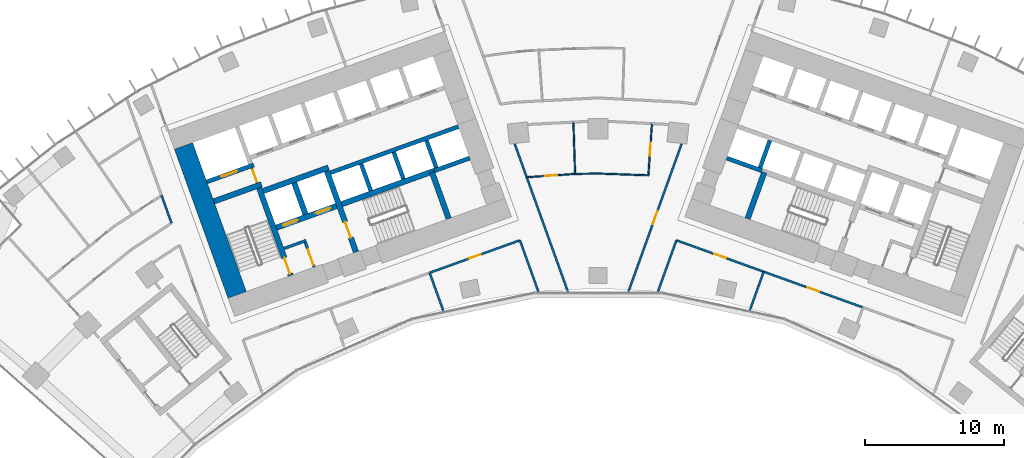
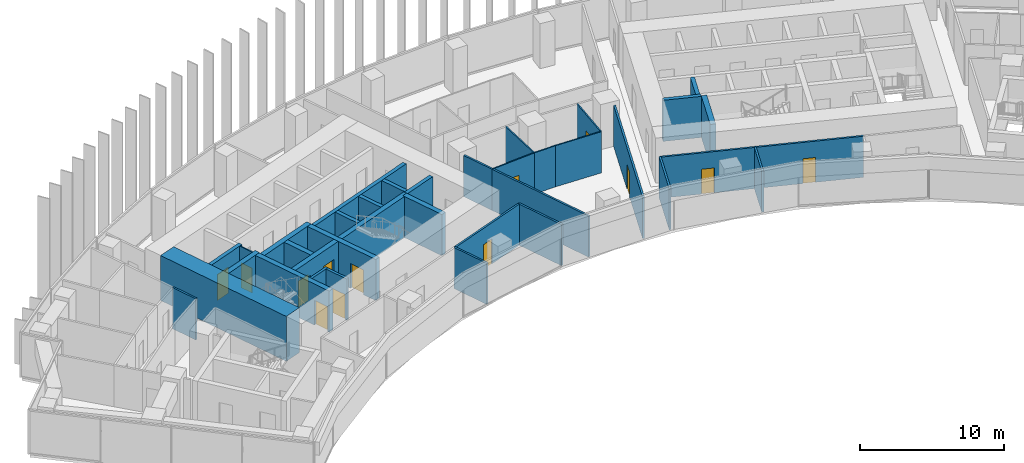
# One storey, part 16 of 22: 36 walls, 13 doors, 13 openings.
"""IFC4 building model written with IfcOpenShell, lengths in metres."""

from ifc_helpers import new_model, si_unit, direction, frame, frame_2d, origin, place, context, subcontext, project, spatial, rectangle, extrude, material, layer, layer_set, type_object, element, fill, save


model = new_model("IFC4")

# Units and contexts
model_context = context("Model", 3, precision=1e-05, world=origin(), true_north=direction((0.0, 1.0)))
body_context = subcontext(model_context, "Body", "Model", "MODEL_VIEW")
ifc_project = project(units=[si_unit("LENGTHUNIT", "METRE"), si_unit("AREAUNIT", "SQUARE_METRE"), si_unit("VOLUMEUNIT", "CUBIC_METRE"), si_unit("PLANEANGLEUNIT", "RADIAN"), si_unit("MASSUNIT", "GRAM", prefix="KILO")], contexts=[model_context])

# Site, building, storey
site_placement = place(None, origin())
site = spatial("IfcSite", under=ifc_project, at=site_placement, CompositionType="ELEMENT")
building_placement = place(site_placement, origin())
building = spatial("IfcBuilding", under=site, at=building_placement, Name="Stone Belt Terrace Tower", CompositionType="ELEMENT")
storey_placement = place(building_placement, frame((0.0, 0.0, 121.199951171875)))
storey = spatial("IfcBuildingStorey", under=building, at=storey_placement, Name="L29", CompositionType="ELEMENT", Elevation=121.199951171875)

# Wall, opening, door
ifc_material_1 = material(Name="Plasterboard partition")
ifc_layer_1 = layer(ifc_material_1, 0.10009765625)
ifc_layer_set_1 = layer_set([ifc_layer_1], Name="Core partition 100")
wall_type_1 = type_object("IfcWallType", Name="Core partition 100", PredefinedType="PARTITIONING", material=ifc_layer_set_1)
wall_1_placement = place(storey_placement, frame((-24.555908203125, 51.10400390625, 0.0), z_axis=(0.0, 0.0, 1.0), x_axis=(-0.338621735342, 0.94092258999, 0.0)))
wall_1 = element("IfcWall", 1, at=wall_1_placement, inside=storey, type_object=wall_type_1, Name="Core A wall", PredefinedType="PARTITIONING", context=body_context, shape_type="SweptSolid", body=[
    extrude(rectangle(XDim=1.14990234375, YDim=0.10009765625, at=frame_2d((0.574951171875, 0.0))), origin(), (0.0, 0.0, 1.0), 3.47998046875),
])
opening_1_placement = place(wall_1_placement, frame((0.050048828125, 0.0, 0.0)))
opening_1 = element("IfcOpeningElement", 2, at=opening_1_placement, cuts=wall_1, Name="Opening L29-C01", PredefinedType="OPENING", context=body_context, shape_type="SweptSolid", body=[
    extrude(rectangle(XDim=1.0, YDim=2.10009765625, at=frame_2d((0.5, 1.050048828125))), frame((0.0, 0.06005859375, 0.0), z_axis=(0.0, -1.0, 0.0), x_axis=(1.0, 0.0, 0.0)), (0.0, 0.0, 1.0), 0.1201171875),
])
ifc_material_2 = material(Name="Timber door leaf", Category="wood")
door_type_1 = type_object("IfcDoorType", Name="Core room door 1000", OperationType="SINGLE_SWING_LEFT", PredefinedType="DOOR", material=ifc_material_2)
door_1_placement = place(opening_1_placement, origin())
door_1 = element("IfcDoor", 3, at=door_1_placement, inside=storey, type_object=door_type_1, Name="Service lift lobby door core A", OperationType="SINGLE_SWING_RIGHT", OverallHeight=2.10009765625, OverallWidth=1.0, PredefinedType="DOOR", context=body_context, shape_type="SweptSolid", body=[
    extrude(rectangle(XDim=1.0, YDim=2.10009765625, at=frame_2d((0.5, 1.050048828125))), frame((0.0, 0.02490234375, 0.0), z_axis=(0.0, -1.0, 0.0), x_axis=(1.0, 0.0, 0.0)), (0.0, 0.0, 1.0), 0.050048828125),
])
fill(opening_1, door_1)

# Walls
ifc_material_3 = material(Name="Concrete B80", Category="concrete")
ifc_layer_2 = layer(ifc_material_3, 1.39990234375)
ifc_layer_set_2 = layer_set([ifc_layer_2], Name="Core wall 1400 B80")
wall_type_2 = type_object("IfcWallType", Name="Core wall 1400 B80", PredefinedType="SHEAR", material=ifc_layer_set_2)
wall_2_placement = place(storey_placement, frame((-26.00927734375, 43.03515625, 0.0), z_axis=(0.0, 0.0, 1.0), x_axis=(-0.338625431531, 0.940921259788, 0.0)))
element("IfcWall", 4, at=wall_2_placement, inside=storey, type_object=wall_type_2, Name="Core A wall end_a L29", PredefinedType="SHEAR", context=body_context, shape_type="SweptSolid", body=[
    extrude(rectangle(XDim=11.400146484375, YDim=1.39990234375, at=frame_2d((5.7001953125, 0.0))), origin(), (0.0, 0.0, 1.0), 3.800048828125),
])
ifc_layer_3 = layer(ifc_material_3, 0.39990234375)
ifc_layer_set_3 = layer_set([ifc_layer_3], Name="Fire-fighting lift shaft wall 400")
wall_type_3 = type_object("IfcWallType", Name="Fire-fighting lift shaft wall 400", PredefinedType="SHEAR", material=ifc_layer_set_3)
wall_3_placement = place(storey_placement, frame((-24.130615234375, 50.512939453125, 0.0), z_axis=(0.0, 0.0, 1.0), x_axis=(0.94091168377, 0.338652038744, 0.0)))
element("IfcWall", 5, at=wall_3_placement, inside=storey, type_object=wall_type_3, Name="Core A wall", PredefinedType="SHEAR", context=body_context, shape_type="SweptSolid", body=[
    extrude(rectangle(XDim=5.000244140625, YDim=0.39990234375, at=frame_2d((2.5, 0.0))), origin(), (0.0, 0.0, 1.0), 3.47998046875),
])
wall_4_placement = place(storey_placement, frame((-21.0859375, 48.845458984375, 0.0), z_axis=(0.0, 0.0, 1.0), x_axis=(-0.338629416206, 0.940919825745, 0.0)))
element("IfcWall", 6, at=wall_4_placement, inside=storey, type_object=wall_type_3, Name="Core A wall", PredefinedType="SHEAR", context=body_context, shape_type="SweptSolid", body=[
    extrude(rectangle(XDim=2.400146484375, YDim=0.39990234375, at=frame_2d((1.2001953125, 0.0))), origin(), (0.0, 0.0, 1.0), 3.47998046875),
])

# Wall, opening, door
ifc_layer_4 = layer(ifc_material_3, 0.300048828125)
ifc_layer_set_4 = layer_set([ifc_layer_4], Name="Lift shaft wall 300")
wall_type_4 = type_object("IfcWallType", Name="Lift shaft wall 300", PredefinedType="SHEAR", material=ifc_layer_set_4)
wall_5_placement = place(storey_placement, frame((-28.195068359375, 51.17578125, 0.0), z_axis=(0.0, 0.0, 1.0), x_axis=(0.940901243567, 0.338681044427, 0.0)))
wall_5 = element("IfcWall", 7, at=wall_5_placement, inside=storey, type_object=wall_type_4, Name="Core A wall", PredefinedType="SHEAR", context=body_context, shape_type="SweptSolid", body=[
    extrude(rectangle(XDim=3.599853515625, YDim=0.300048828125, at=frame_2d((1.7998046875, 0.0))), origin(), (0.0, 0.0, 1.0), 3.47998046875),
])
opening_2_placement = place(wall_5_placement, frame((1.1201171875, 0.0, 0.0)))
opening_2 = element("IfcOpeningElement", 8, at=opening_2_placement, cuts=wall_5, Name="Opening L29-LD09", PredefinedType="OPENING", context=body_context, shape_type="SweptSolid", body=[
    extrude(rectangle(XDim=1.199951171875, YDim=2.199951171875, at=frame_2d((0.60009765625, 1.10009765625))), frame((0.0, 0.159912109375, 0.0), z_axis=(0.0, -1.0, 0.0), x_axis=(1.0, 0.0, 0.0)), (0.0, 0.0, 1.0), 0.320068359375),
])
ifc_material_4 = material(Name="Stainless steel door leaf", Category="steel")
door_type_2 = type_object("IfcDoorType", Name="Landing door 1200", OperationType="SLIDING_TO_LEFT", PredefinedType="DOOR", material=ifc_material_4)
door_2_placement = place(opening_2_placement, origin())
door_2 = element("IfcDoor", 9, at=door_2_placement, inside=storey, type_object=door_type_2, Name="Landing door SV1 core A", OperationType="SLIDING_TO_LEFT", OverallHeight=2.199951171875, OverallWidth=1.199951171875, PredefinedType="DOOR", context=body_context, shape_type="SweptSolid", body=[
    extrude(rectangle(XDim=1.199951171875, YDim=2.199951171875, at=frame_2d((0.60009765625, 1.10009765625))), frame((0.0, 0.02490234375, 0.0), z_axis=(0.0, -1.0, 0.0), x_axis=(1.0, 0.0, 0.0)), (0.0, 0.0, 1.0), 0.050048828125),
])
fill(opening_2, door_2)

# Walls
wall_6_placement = place(storey_placement, frame((-19.29052734375, 51.829833984375, 0.0), z_axis=(0.0, 0.0, 1.0), x_axis=(0.940925833398, 0.338612722803, 0.0)))
element("IfcWall", 10, at=wall_6_placement, inside=storey, type_object=wall_type_4, Name="Core A wall", PredefinedType="SHEAR", context=body_context, shape_type="SweptSolid", body=[
    extrude(rectangle(XDim=9.7998046875, YDim=0.300048828125, at=frame_2d((4.89990234375, 0.0))), origin(), (0.0, 0.0, 1.0), 3.47998046875),
])
for number, where, z_axis, x_axis, name in (
    (11, (-16.38134765625, 50.53857421875, 0.0), (0.0, 0.0, 1.0), (-0.338681515556, 0.940901073982, 0.0), "Core A wall"),
    (12, (-14.029052734375, 51.38525390625, 0.0), (0.0, 0.0, 1.0), (-0.338681515556, 0.940901073982, 0.0), "Core A wall"),
):
    element("IfcWall", number, at=place(storey_placement, frame(where, z_axis=z_axis, x_axis=x_axis)), inside=storey, type_object=wall_type_4, Name=name, PredefinedType="SHEAR", context=body_context, shape_type="SweptSolid", body=[
        extrude(rectangle(XDim=2.050048828125, YDim=0.300048828125, at=frame_2d((1.02490234375, 0.0))), origin(), (0.0, 0.0, 1.0), 3.47998046875),
    ])
wall_7_placement = place(storey_placement, frame((-11.797119140625, 51.975830078125, 0.0), z_axis=(0.0, 0.0, 1.0), x_axis=(0.940910465161, 0.33865542451, 0.0)))
element("IfcWall", 13, at=wall_7_placement, inside=storey, type_object=wall_type_4, Name="Core A wall", PredefinedType="SHEAR", context=body_context, shape_type="SweptSolid", body=[
    extrude(rectangle(XDim=2.69970703125, YDim=0.300048828125, at=frame_2d((1.349853515625, 0.0))), origin(), (0.0, 0.0, 1.0), 3.47998046875),
])
wall_8_placement = place(storey_placement, frame((-11.659912109375, 52.184814453125, 0.0), z_axis=(0.0, 0.0, 1.0), x_axis=(-0.338670064856, 0.940905195634, 0.0)))
element("IfcWall", 14, at=wall_8_placement, inside=storey, type_object=wall_type_4, Name="Core A wall", PredefinedType="SHEAR", context=body_context, shape_type="SweptSolid", body=[
    extrude(rectangle(XDim=2.099853515625, YDim=0.300048828125, at=frame_2d((1.0498046875, 0.0))), origin(), (0.0, 0.0, 1.0), 3.47998046875),
])
wall_9_placement = place(storey_placement, frame((11.797119140625, 51.975830078125, 0.0), z_axis=(0.0, 0.0, 1.0), x_axis=(-0.940910465161, 0.33865542451, 0.0)))
element("IfcWall", 15, at=wall_9_placement, inside=storey, type_object=wall_type_4, Name="Core B wall", PredefinedType="SHEAR", context=body_context, shape_type="SweptSolid", body=[
    extrude(rectangle(XDim=2.69970703125, YDim=0.300048828125, at=frame_2d((1.349853515625, 0.0))), origin(), (0.0, 0.0, 1.0), 3.47998046875),
])
wall_10_placement = place(storey_placement, frame((11.659912109375, 52.184814453125, 0.0), z_axis=(0.0, 0.0, 1.0), x_axis=(0.338670064856, 0.940905195634, 0.0)))
element("IfcWall", 16, at=wall_10_placement, inside=storey, type_object=wall_type_4, Name="Core B wall", PredefinedType="SHEAR", context=body_context, shape_type="SweptSolid", body=[
    extrude(rectangle(XDim=2.099853515625, YDim=0.300048828125, at=frame_2d((1.0498046875, 0.0))), origin(), (0.0, 0.0, 1.0), 3.47998046875),
])

# Wall, opening, door
ifc_material_5 = material(Name="Gypsum board partition")
ifc_layer_5 = layer(ifc_material_5, 0.10009765625)
ifc_layer_set_5 = layer_set([ifc_layer_5], Name="PARTITION 100")
wall_type_5 = type_object("IfcWallType", Name="PARTITION 100", PredefinedType="PARTITIONING", material=ifc_layer_set_5)
wall_11_placement = place(storey_placement, frame((-5.14697265625, 51.509033203125, 0.0), z_axis=(0.0, 0.0, 1.0), x_axis=(0.997654919986, 0.068444580705, 0.0)))
wall_11 = element("IfcWall", 17, at=wall_11_placement, inside=storey, type_object=wall_type_5, Name="L29/wall/i095", PredefinedType="PARTITIONING", context=body_context, shape_type="SweptSolid", body=[
    extrude(rectangle(XDim=3.4921875, YDim=0.10009765625, at=frame_2d((1.74609375, 0.0))), origin(), (0.0, 0.0, 1.0), 3.47998046875),
])
opening_3_placement = place(wall_11_placement, frame((1.296142578125, 0.0, 0.0)))
opening_3 = element("IfcOpeningElement", 18, at=opening_3_placement, cuts=wall_11, Name="Opening D-B4-29", PredefinedType="OPENING", context=body_context, shape_type="SweptSolid", body=[
    extrude(rectangle(XDim=0.89990234375, YDim=2.10009765625, at=frame_2d((0.449951171875, 1.050048828125))), frame((0.0, 0.06005859375, 0.0), z_axis=(0.0, -1.0, 0.0), x_axis=(1.0, 0.0, 0.0)), (0.0, 0.0, 1.0), 0.1201171875),
])
door_type_3 = type_object("IfcDoorType", Name="OFFICE DOOR 900 X 2100", OperationType="NOTDEFINED", PredefinedType="DOOR", material=ifc_material_2)
door_3_placement = place(opening_3_placement, origin())
door_3 = element("IfcDoor", 19, at=door_3_placement, inside=storey, type_object=door_type_3, Name="L29/door/i29", OperationType="SINGLE_SWING_RIGHT", OverallHeight=2.10009765625, OverallWidth=0.89990234375, PredefinedType="DOOR", context=body_context, shape_type="SweptSolid", body=[
    extrude(rectangle(XDim=0.89990234375, YDim=2.10009765625, at=frame_2d((0.449951171875, 1.050048828125))), frame((0.0, 0.02490234375, 0.0), z_axis=(0.0, -1.0, 0.0), x_axis=(1.0, 0.0, 0.0)), (0.0, 0.0, 1.0), 0.050048828125),
])
fill(opening_3, door_3)

# Walls
wall_12_placement = place(storey_placement, frame((-1.6630859375, 51.748046875, 0.0), z_axis=(0.0, 0.0, 1.0), x_axis=(0.999869646958, 0.016145869226, 0.0)))
element("IfcWall", 20, at=wall_12_placement, inside=storey, type_object=wall_type_5, Name="L29/wall/i096", PredefinedType="PARTITIONING", context=body_context, shape_type="SweptSolid", body=[
    extrude(rectangle(XDim=1.663330078125, YDim=0.10009765625, at=frame_2d((0.83154296875, 0.0))), origin(), (0.0, 0.0, 1.0), 3.47998046875),
])
wall_13_placement = place(storey_placement, frame((0.0, 51.77490234375, 0.0), z_axis=(0.0, 0.0, 1.0), x_axis=(0.999384578981, -0.035077960248, 0.0)))
element("IfcWall", 21, at=wall_13_placement, inside=storey, type_object=wall_type_5, Name="L29/wall/i097", PredefinedType="PARTITIONING", context=body_context, shape_type="SweptSolid", body=[
    extrude(rectangle(XDim=3.619140625, YDim=0.10009765625, at=frame_2d((1.8095703125, 0.0))), origin(), (0.0, 0.0, 1.0), 3.47998046875),
])

# Wall, opening, door
wall_14_placement = place(storey_placement, frame((3.616943359375, 51.64794921875, 0.0), z_axis=(0.0, 0.0, 1.0), x_axis=(0.069908521792, 0.99755340638, 0.0)))
wall_14 = element("IfcWall", 22, at=wall_14_placement, inside=storey, type_object=wall_type_5, Name="L29/wall/i098", PredefinedType="PARTITIONING", context=body_context, shape_type="SweptSolid", body=[
    extrude(rectangle(XDim=3.733154296875, YDim=0.10009765625, at=frame_2d((1.86669921875, 0.0))), origin(), (0.0, 0.0, 1.0), 3.47998046875),
])
opening_4_placement = place(wall_14_placement, frame((1.41650390625, 0.0, 0.0)))
opening_4 = element("IfcOpeningElement", 23, at=opening_4_placement, cuts=wall_14, Name="Opening D-B4-30", PredefinedType="OPENING", context=body_context, shape_type="SweptSolid", body=[
    extrude(rectangle(XDim=0.89990234375, YDim=2.10009765625, at=frame_2d((0.449951171875, 1.050048828125))), frame((0.0, 0.06005859375, 0.0), z_axis=(0.0, -1.0, 0.0), x_axis=(1.0, 0.0, 0.0)), (0.0, 0.0, 1.0), 0.1201171875),
])
door_4_placement = place(opening_4_placement, origin())
door_4 = element("IfcDoor", 24, at=door_4_placement, inside=storey, type_object=door_type_3, Name="L29/door/i30", OperationType="SINGLE_SWING_RIGHT", OverallHeight=2.10009765625, OverallWidth=0.89990234375, PredefinedType="DOOR", context=body_context, shape_type="SweptSolid", body=[
    extrude(rectangle(XDim=0.89990234375, YDim=2.10009765625, at=frame_2d((0.449951171875, 1.050048828125))), frame((0.0, 0.02490234375, 0.0), z_axis=(0.0, -1.0, 0.0), x_axis=(1.0, 0.0, 0.0)), (0.0, 0.0, 1.0), 0.050048828125),
])
fill(opening_4, door_4)

# Walls
wall_15_placement = place(storey_placement, frame((-1.782958984375, 55.48193359375, 0.0), z_axis=(0.0, 0.0, 1.0), x_axis=(0.032087561479, -0.999485061618, 0.0)))
element("IfcWall", 25, at=wall_15_placement, inside=storey, type_object=wall_type_5, Name="L29/wall/i099", PredefinedType="PARTITIONING", context=body_context, shape_type="SweptSolid", body=[
    extrude(rectangle(XDim=3.73583984375, YDim=0.10009765625, at=frame_2d((1.867919921875, 0.0))), origin(), (0.0, 0.0, 1.0), 3.47998046875),
])
ifc_layer_6 = layer(ifc_material_5, 0.14990234375)
ifc_layer_set_6 = layer_set([ifc_layer_6], Name="PARTITION 150 EI 60")
wall_type_6 = type_object("IfcWallType", Name="PARTITION 150 EI 60", PredefinedType="PARTITIONING", material=ifc_layer_set_6)
wall_16_placement = place(storey_placement, frame((-30.737060546875, 48.197021484375, 0.0), z_axis=(0.0, 0.0, 1.0), x_axis=(-0.338300458041, 0.941038150177, 0.0)))
element("IfcWall", 26, at=wall_16_placement, inside=storey, type_object=wall_type_6, Name="L29/wall/i005", PredefinedType="PARTITIONING", context=body_context, shape_type="SweptSolid", body=[
    extrude(rectangle(XDim=2.125244140625, YDim=0.14990234375, at=frame_2d((1.0625, 0.0))), origin(), (0.0, 0.0, 1.0), 3.47998046875),
])
wall_17_placement = place(storey_placement, frame((-4.31005859375, 43.27783203125, 0.0), z_axis=(0.0, 0.0, 1.0), x_axis=(-0.338490436495, 0.940969831823, 0.0)))
element("IfcWall", 27, at=wall_17_placement, inside=storey, type_object=wall_type_6, Name="L29/wall/i008", PredefinedType="PARTITIONING", context=body_context, shape_type="SweptSolid", body=[
    extrude(rectangle(XDim=3.92578125, YDim=0.14990234375, at=frame_2d((1.962890625, 0.0))), origin(), (0.0, 0.0, 1.0), 3.47998046875),
])
wall_18_placement = place(storey_placement, frame((-5.14892578125, 51.514892578125, 0.0), z_axis=(0.0, 0.0, 1.0), x_axis=(0.338625833111, -0.940921115264, 0.0)))
element("IfcWall", 28, at=wall_18_placement, inside=storey, type_object=wall_type_6, Name="L29/wall/i010", PredefinedType="PARTITIONING", context=body_context, shape_type="SweptSolid", body=[
    extrude(rectangle(XDim=8.771484375, YDim=0.14990234375, at=frame_2d((4.3857421875, 0.0))), origin(), (0.0, 0.0, 1.0), 3.47998046875),
])
wall_19_placement = place(storey_placement, frame((-6.011962890625, 53.911865234375, 0.0), z_axis=(0.0, 0.0, 1.0), x_axis=(0.338624916553, -0.940921445122, 0.0)))
element("IfcWall", 29, at=wall_19_placement, inside=storey, type_object=wall_type_6, Name="L29/wall/i011", PredefinedType="PARTITIONING", context=body_context, shape_type="SweptSolid", body=[
    extrude(rectangle(XDim=2.560302734375, YDim=0.14990234375, at=frame_2d((1.2802734375, 0.0))), origin(), (0.0, 0.0, 1.0), 3.47998046875),
])

# Wall, opening, door
wall_20_placement = place(storey_placement, frame((-5.636962890625, 46.966064453125, 0.0), z_axis=(0.0, 0.0, 1.0), x_axis=(-0.940914398552, -0.33864449589, 0.0)))
wall_20 = element("IfcWall", 30, at=wall_20_placement, inside=storey, type_object=wall_type_6, Name="L29/wall/i016", PredefinedType="PARTITIONING", context=body_context, shape_type="SweptSolid", body=[
    extrude(rectangle(XDim=6.918701171875, YDim=0.14990234375, at=frame_2d((3.45947265625, 0.0))), origin(), (0.0, 0.0, 1.0), 3.47998046875),
])
opening_5_placement = place(wall_20_placement, frame((3.00927734375, 0.0, 0.0)))
opening_5 = element("IfcOpeningElement", 31, at=opening_5_placement, cuts=wall_20, Name="Opening D-B4-03", PredefinedType="OPENING", context=body_context, shape_type="SweptSolid", body=[
    extrude(rectangle(XDim=0.89990234375, YDim=2.10009765625, at=frame_2d((0.449951171875, 1.050048828125))), frame((0.0, 0.0849609375, 0.0), z_axis=(0.0, -1.0, 0.0), x_axis=(1.0, 0.0, 0.0)), (0.0, 0.0, 1.0), 0.169921875),
])
door_5_placement = place(opening_5_placement, origin())
door_5 = element("IfcDoor", 32, at=door_5_placement, inside=storey, type_object=door_type_3, Name="L29/door/i03", OperationType="SINGLE_SWING_RIGHT", OverallHeight=2.10009765625, OverallWidth=0.89990234375, PredefinedType="DOOR", context=body_context, shape_type="SweptSolid", body=[
    extrude(rectangle(XDim=0.89990234375, YDim=2.10009765625, at=frame_2d((0.449951171875, 1.050048828125))), frame((0.0, 0.02490234375, 0.0), z_axis=(0.0, -1.0, 0.0), x_axis=(1.0, 0.0, 0.0)), (0.0, 0.0, 1.0), 0.050048828125),
])
fill(opening_5, door_5)

# Walls
wall_21_placement = place(storey_placement, frame((-12.14111328125, 44.625, 0.0), z_axis=(0.0, 0.0, 1.0), x_axis=(0.338687117688, -0.940899057451, 0.0)))
element("IfcWall", 33, at=wall_21_placement, inside=storey, type_object=wall_type_6, Name="L29/wall/i019", PredefinedType="PARTITIONING", context=body_context, shape_type="SweptSolid", body=[
    extrude(rectangle(XDim=2.939697265625, YDim=0.14990234375, at=frame_2d((1.4697265625, 0.0))), origin(), (0.0, 0.0, 1.0), 3.47998046875),
])
wall_22_placement = place(storey_placement, frame((5.638916015625, 46.971923828125, 0.0), z_axis=(0.0, 0.0, 1.0), x_axis=(-0.338490436495, -0.940969831823, 0.0)))
element("IfcWall", 34, at=wall_22_placement, inside=storey, type_object=wall_type_6, Name="L29/wall/i021", PredefinedType="PARTITIONING", context=body_context, shape_type="SweptSolid", body=[
    extrude(rectangle(XDim=3.92578125, YDim=0.14990234375, at=frame_2d((1.962890625, 0.0))), origin(), (0.0, 0.0, 1.0), 3.47998046875),
])

# Wall, opening, door
wall_23_placement = place(storey_placement, frame((2.1787109375, 43.26171875, 0.0), z_axis=(0.0, 0.0, 1.0), x_axis=(0.338656837626, 0.940909956547, 0.0)))
wall_23 = element("IfcWall", 35, at=wall_23_placement, inside=storey, type_object=wall_type_6, Name="L29/wall/i023", PredefinedType="PARTITIONING", context=body_context, shape_type="SweptSolid", body=[
    extrude(rectangle(XDim=11.319091796875, YDim=0.14990234375, at=frame_2d((5.65966796875, 0.0))), origin(), (0.0, 0.0, 1.0), 3.47998046875),
])
opening_6_placement = place(wall_23_placement, frame((5.159423828125, 0.0, 0.0)))
opening_6 = element("IfcOpeningElement", 36, at=opening_6_placement, cuts=wall_23, Name="Opening D-B4-28", PredefinedType="OPENING", context=body_context, shape_type="SweptSolid", body=[
    extrude(rectangle(XDim=1.0, YDim=2.10009765625, at=frame_2d((0.5, 1.050048828125))), frame((0.0, 0.0849609375, 0.0), z_axis=(0.0, -1.0, 0.0), x_axis=(1.0, 0.0, 0.0)), (0.0, 0.0, 1.0), 0.169921875),
])
ifc_material_6 = material(Name="Timber fire door leaf", Category="wood")
door_type_4 = type_object("IfcDoorType", Name="TENANCY ENTRANCE DOOR 1000 X 2100", OperationType="NOTDEFINED", PredefinedType="DOOR", material=ifc_material_6)
door_6_placement = place(opening_6_placement, origin())
door_6 = element("IfcDoor", 37, at=door_6_placement, inside=storey, type_object=door_type_4, Name="L29/door/i28", OperationType="SINGLE_SWING_LEFT", OverallHeight=2.10009765625, OverallWidth=1.0, PredefinedType="DOOR", context=body_context, shape_type="SweptSolid", body=[
    extrude(rectangle(XDim=1.0, YDim=2.10009765625, at=frame_2d((0.5, 1.050048828125))), frame((0.0, 0.02490234375, 0.0), z_axis=(0.0, -1.0, 0.0), x_axis=(1.0, 0.0, 0.0)), (0.0, 0.0, 1.0), 0.050048828125),
])
fill(opening_6, door_6)

wall_24_placement = place(storey_placement, frame((11.93408203125, 44.699951171875, 0.0), z_axis=(0.0, 0.0, 1.0), x_axis=(-0.94092786382, 0.33860708068, 0.0)))
wall_24 = element("IfcWall", 38, at=wall_24_placement, inside=storey, type_object=wall_type_6, Name="L29/wall/i031", PredefinedType="PARTITIONING", context=body_context, shape_type="SweptSolid", body=[
    extrude(rectangle(XDim=6.6923828125, YDim=0.14990234375, at=frame_2d((3.34619140625, 0.0))), origin(), (0.0, 0.0, 1.0), 3.47998046875),
])
opening_7_placement = place(wall_24_placement, frame((2.896240234375, 0.0, 0.0)))
opening_7 = element("IfcOpeningElement", 39, at=opening_7_placement, cuts=wall_24, Name="Opening D-B4-06", PredefinedType="OPENING", context=body_context, shape_type="SweptSolid", body=[
    extrude(rectangle(XDim=0.89990234375, YDim=2.10009765625, at=frame_2d((0.449951171875, 1.050048828125))), frame((0.0, 0.0849609375, 0.0), z_axis=(0.0, -1.0, 0.0), x_axis=(1.0, 0.0, 0.0)), (0.0, 0.0, 1.0), 0.169921875),
])
door_7_placement = place(opening_7_placement, origin())
door_7 = element("IfcDoor", 40, at=door_7_placement, inside=storey, type_object=door_type_3, Name="L29/door/i06", OperationType="SINGLE_SWING_RIGHT", OverallHeight=2.10009765625, OverallWidth=0.89990234375, PredefinedType="DOOR", context=body_context, shape_type="SweptSolid", body=[
    extrude(rectangle(XDim=0.89990234375, YDim=2.10009765625, at=frame_2d((0.449951171875, 1.050048828125))), frame((0.0, 0.02490234375, 0.0), z_axis=(0.0, -1.0, 0.0), x_axis=(1.0, 0.0, 0.0)), (0.0, 0.0, 1.0), 0.050048828125),
])
fill(opening_7, door_7)

wall_25_placement = place(storey_placement, frame((19.0859375, 42.1259765625, 0.0), z_axis=(0.0, 0.0, 1.0), x_axis=(-0.940922970356, 0.338620678423, 0.0)))
wall_25 = element("IfcWall", 41, at=wall_25_placement, inside=storey, type_object=wall_type_6, Name="L29/wall/i032", PredefinedType="PARTITIONING", context=body_context, shape_type="SweptSolid", body=[
    extrude(rectangle(XDim=7.613525390625, YDim=0.14990234375, at=frame_2d((3.806640625, 0.0))), origin(), (0.0, 0.0, 1.0), 3.47998046875),
])
opening_8_placement = place(wall_25_placement, frame((3.35693359375, 0.0, 0.0)))
opening_8 = element("IfcOpeningElement", 42, at=opening_8_placement, cuts=wall_25, Name="Opening D-B4-07", PredefinedType="OPENING", context=body_context, shape_type="SweptSolid", body=[
    extrude(rectangle(XDim=0.89990234375, YDim=2.10009765625, at=frame_2d((0.449951171875, 1.050048828125))), frame((0.0, 0.0849609375, 0.0), z_axis=(0.0, -1.0, 0.0), x_axis=(1.0, 0.0, 0.0)), (0.0, 0.0, 1.0), 0.169921875),
])
door_8_placement = place(opening_8_placement, origin())
door_8 = element("IfcDoor", 43, at=door_8_placement, inside=storey, type_object=door_type_3, Name="L29/door/i07", OperationType="SINGLE_SWING_RIGHT", OverallHeight=2.10009765625, OverallWidth=0.89990234375, PredefinedType="DOOR", context=body_context, shape_type="SweptSolid", body=[
    extrude(rectangle(XDim=0.89990234375, YDim=2.10009765625, at=frame_2d((0.449951171875, 1.050048828125))), frame((0.0, 0.02490234375, 0.0), z_axis=(0.0, -1.0, 0.0), x_axis=(1.0, 0.0, 0.0)), (0.0, 0.0, 1.0), 0.050048828125),
])
fill(opening_8, door_8)

# Walls
wall_26_placement = place(storey_placement, frame((11.927978515625, 44.701904296875, 0.0), z_axis=(0.0, 0.0, 1.0), x_axis=(-0.33850120376, -0.940965958498, 0.0)))
element("IfcWall", 44, at=wall_26_placement, inside=storey, type_object=wall_type_6, Name="L29/wall/i034", PredefinedType="PARTITIONING", context=body_context, shape_type="SweptSolid", body=[
    extrude(rectangle(XDim=2.970703125, YDim=0.14990234375, at=frame_2d((1.4853515625, 0.0))), origin(), (0.0, 0.0, 1.0), 3.47998046875),
])
ifc_material_7 = material(Name="Concrete masonry block", Category="masonry")
ifc_layer_7 = layer(ifc_material_7, 0.199951171875)
ifc_layer_set_7 = layer_set([ifc_layer_7], Name="Rated lobby wall 200")
wall_type_7 = type_object("IfcWallType", Name="Rated lobby wall 200", PredefinedType="PARTITIONING", material=ifc_layer_set_7)
wall_27_placement = place(storey_placement, frame((-22.640625, 46.373046875, 0.0), z_axis=(0.0, 0.0, 1.0), x_axis=(0.940966110313, 0.338500781747, 0.0)))
element("IfcWall", 45, at=wall_27_placement, inside=storey, type_object=wall_type_7, Name="Core A wall", PredefinedType="PARTITIONING", context=body_context, shape_type="SweptSolid", body=[
    extrude(rectangle(XDim=1.699951171875, YDim=0.199951171875, at=frame_2d((0.85009765625, 0.0))), origin(), (0.0, 0.0, 1.0), 3.47998046875),
])

# Wall, opening, door
wall_28_placement = place(storey_placement, frame((-20.4580078125, 45.032958984375, 0.0), z_axis=(0.0, 0.0, 1.0), x_axis=(-0.338573865316, 0.940939816208, 0.0)))
wall_28 = element("IfcWall", 46, at=wall_28_placement, inside=storey, type_object=wall_type_7, Name="Core A wall", PredefinedType="PARTITIONING", context=body_context, shape_type="SweptSolid", body=[
    extrude(rectangle(XDim=1.900146484375, YDim=0.199951171875, at=frame_2d((0.9501953125, 0.0))), origin(), (0.0, 0.0, 1.0), 3.47998046875),
])
opening_9_placement = place(wall_28_placement, frame((0.14990234375, 0.0, 0.0)))
opening_9 = element("IfcOpeningElement", 47, at=opening_9_placement, cuts=wall_28, Name="Opening L29-C04", PredefinedType="OPENING", context=body_context, shape_type="SweptSolid", body=[
    extrude(rectangle(XDim=1.199951171875, YDim=2.10009765625, at=frame_2d((0.60009765625, 1.050048828125))), frame((0.0, 0.10986328125, 0.0), z_axis=(0.0, -1.0, 0.0), x_axis=(1.0, 0.0, 0.0)), (0.0, 0.0, 1.0), 0.219970703125),
])
ifc_material_8 = material(Name="Steel door leaf", Category="steel")
door_type_5 = type_object("IfcDoorType", Name="Stair door 1200", OperationType="SINGLE_SWING_LEFT", PredefinedType="DOOR", material=ifc_material_8)
door_9_placement = place(opening_9_placement, origin())
door_9 = element("IfcDoor", 48, at=door_9_placement, inside=storey, type_object=door_type_5, Name="Stair airlock door core A", OperationType="SINGLE_SWING_RIGHT", OverallHeight=2.10009765625, OverallWidth=1.199951171875, PredefinedType="DOOR", context=body_context, shape_type="SweptSolid", body=[
    extrude(rectangle(XDim=1.199951171875, YDim=2.10009765625, at=frame_2d((0.60009765625, 1.050048828125))), frame((0.0, 0.02490234375, 0.0), z_axis=(0.0, -1.0, 0.0), x_axis=(1.0, 0.0, 0.0)), (0.0, 0.0, 1.0), 0.050048828125),
])
fill(opening_9, door_9)

# Wall
ifc_layer_8 = layer(ifc_material_3, 0.39990234375)
ifc_layer_set_8 = layer_set([ifc_layer_8], Name="Stair enclosure wall 400")
wall_type_8 = type_object("IfcWallType", Name="Stair enclosure wall 400", PredefinedType="SHEAR", material=ifc_layer_set_8)
wall_29_placement = place(storey_placement, frame((-27.687255859375, 49.764404296875, 0.0), z_axis=(0.0, 0.0, 1.0), x_axis=(0.940918954884, 0.338631835981, 0.0)))
element("IfcWall", 49, at=wall_29_placement, inside=storey, type_object=wall_type_8, Name="Core A wall", PredefinedType="SHEAR", context=body_context, shape_type="SweptSolid", body=[
    extrude(rectangle(XDim=3.650146484375, YDim=0.39990234375, at=frame_2d((1.8251953125, 0.0))), origin(), (0.0, 0.0, 1.0), 3.47998046875),
])

# Wall, opening, door
wall_30_placement = place(storey_placement, frame((-22.151611328125, 44.42333984375, 0.0), z_axis=(0.0, 0.0, 1.0), x_axis=(-0.338625272931, 0.940921316866, 0.0)))
wall_30 = element("IfcWall", 50, at=wall_30_placement, inside=storey, type_object=wall_type_8, Name="Core A wall", PredefinedType="SHEAR", context=body_context, shape_type="SweptSolid", body=[
    extrude(rectangle(XDim=6.699951171875, YDim=0.39990234375, at=frame_2d((3.35009765625, 0.0))), origin(), (0.0, 0.0, 1.0), 3.47998046875),
])
opening_10_placement = place(wall_30_placement, frame((0.14990234375, 0.0, 0.0)))
opening_10 = element("IfcOpeningElement", 51, at=opening_10_placement, cuts=wall_30, Name="Opening L29-C03", PredefinedType="OPENING", context=body_context, shape_type="SweptSolid", body=[
    extrude(rectangle(XDim=1.199951171875, YDim=2.10009765625, at=frame_2d((0.60009765625, 1.050048828125))), frame((0.0, 0.2099609375, 0.0), z_axis=(0.0, -1.0, 0.0), x_axis=(1.0, 0.0, 0.0)), (0.0, 0.0, 1.0), 0.419921875),
])
door_10_placement = place(opening_10_placement, origin())
door_10 = element("IfcDoor", 52, at=door_10_placement, inside=storey, type_object=door_type_5, Name="Stair 1 door core A", OperationType="SINGLE_SWING_RIGHT", OverallHeight=2.10009765625, OverallWidth=1.199951171875, PredefinedType="DOOR", context=body_context, shape_type="SweptSolid", body=[
    extrude(rectangle(XDim=1.199951171875, YDim=2.10009765625, at=frame_2d((0.60009765625, 1.050048828125))), frame((0.0, 0.02490234375, 0.0), z_axis=(0.0, -1.0, 0.0), x_axis=(1.0, 0.0, 0.0)), (0.0, 0.0, 1.0), 0.050048828125),
])
fill(opening_10, door_10)

# Wall, openings, doors
wall_31_placement = place(storey_placement, frame((-23.182373046875, 47.87841796875, 0.0), z_axis=(0.0, 0.0, 1.0), x_axis=(0.940921101762, 0.338625870628, 0.0)))
wall_31 = element("IfcWall", 53, at=wall_31_placement, inside=storey, type_object=wall_type_8, Name="Core A wall", PredefinedType="SHEAR", context=body_context, shape_type="SweptSolid", body=[
    extrude(rectangle(XDim=12.10009765625, YDim=0.39990234375, at=frame_2d((6.050048828125, 0.0))), origin(), (0.0, 0.0, 1.0), 3.47998046875),
])
opening_11_placement = place(wall_31_placement, frame((0.52001953125, 0.0, 0.0)))
opening_11 = element("IfcOpeningElement", 54, at=opening_11_placement, cuts=wall_31, Name="Opening L29-LD07", PredefinedType="OPENING", context=body_context, shape_type="SweptSolid", body=[
    extrude(rectangle(XDim=1.10009765625, YDim=2.199951171875, at=frame_2d((0.550048828125, 1.10009765625))), frame((0.0, 0.2099609375, 0.0), z_axis=(0.0, -1.0, 0.0), x_axis=(1.0, 0.0, 0.0)), (0.0, 0.0, 1.0), 0.419921875),
])
opening_12_placement = place(wall_31_placement, frame((3.02001953125, 0.0, 0.0)))
opening_12 = element("IfcOpeningElement", 55, at=opening_12_placement, cuts=wall_31, Name="Opening L29-LD08", PredefinedType="OPENING", context=body_context, shape_type="SweptSolid", body=[
    extrude(rectangle(XDim=1.10009765625, YDim=2.199951171875, at=frame_2d((0.550048828125, 1.10009765625))), frame((0.0, 0.2099609375, 0.0), z_axis=(0.0, -1.0, 0.0), x_axis=(1.0, 0.0, 0.0)), (0.0, 0.0, 1.0), 0.419921875),
])
door_type_6 = type_object("IfcDoorType", Name="Landing door 1100", OperationType="SLIDING_TO_LEFT", PredefinedType="DOOR", material=ifc_material_4)
door_11_placement = place(opening_11_placement, origin())
door_11 = element("IfcDoor", 56, at=door_11_placement, inside=storey, type_object=door_type_6, Name="Landing door FF1 core A", OperationType="SLIDING_TO_LEFT", OverallHeight=2.199951171875, OverallWidth=1.10009765625, PredefinedType="DOOR", context=body_context, shape_type="SweptSolid", body=[
    extrude(rectangle(XDim=1.10009765625, YDim=2.199951171875, at=frame_2d((0.550048828125, 1.10009765625))), frame((0.0, 0.02490234375, 0.0), z_axis=(0.0, -1.0, 0.0), x_axis=(1.0, 0.0, 0.0)), (0.0, 0.0, 1.0), 0.050048828125),
])
fill(opening_11, door_11)
door_12_placement = place(opening_12_placement, origin())
door_12 = element("IfcDoor", 57, at=door_12_placement, inside=storey, type_object=door_type_6, Name="Landing door FF2 core A", OperationType="SLIDING_TO_LEFT", OverallHeight=2.199951171875, OverallWidth=1.10009765625, PredefinedType="DOOR", context=body_context, shape_type="SweptSolid", body=[
    extrude(rectangle(XDim=1.10009765625, YDim=2.199951171875, at=frame_2d((0.550048828125, 1.10009765625))), frame((0.0, 0.02490234375, 0.0), z_axis=(0.0, -1.0, 0.0), x_axis=(1.0, 0.0, 0.0)), (0.0, 0.0, 1.0), 0.050048828125),
])
fill(opening_12, door_12)

# Wall, opening, door
wall_32_placement = place(storey_placement, frame((-17.447021484375, 46.116455078125, 0.0), z_axis=(0.0, 0.0, 1.0), x_axis=(-0.33860791464, 0.940927563707, 0.0)))
wall_32 = element("IfcWall", 58, at=wall_32_placement, inside=storey, type_object=wall_type_8, Name="Core A wall", PredefinedType="SHEAR", context=body_context, shape_type="SweptSolid", body=[
    extrude(rectangle(XDim=6.199951171875, YDim=0.39990234375, at=frame_2d((3.10009765625, 0.0))), origin(), (0.0, 0.0, 1.0), 3.47998046875),
])
opening_13_placement = place(wall_32_placement, frame((1.10009765625, 0.0, 0.0)))
opening_13 = element("IfcOpeningElement", 59, at=opening_13_placement, cuts=wall_32, Name="Opening L29-C06", PredefinedType="OPENING", context=body_context, shape_type="SweptSolid", body=[
    extrude(rectangle(XDim=1.199951171875, YDim=2.10009765625, at=frame_2d((0.60009765625, 1.050048828125))), frame((0.0, 0.2099609375, 0.0), z_axis=(0.0, -1.0, 0.0), x_axis=(1.0, 0.0, 0.0)), (0.0, 0.0, 1.0), 0.419921875),
])
door_13_placement = place(opening_13_placement, origin())
door_13 = element("IfcDoor", 60, at=door_13_placement, inside=storey, type_object=door_type_5, Name="Stair 2 door core A", OperationType="SINGLE_SWING_RIGHT", OverallHeight=2.10009765625, OverallWidth=1.199951171875, PredefinedType="DOOR", context=body_context, shape_type="SweptSolid", body=[
    extrude(rectangle(XDim=1.199951171875, YDim=2.10009765625, at=frame_2d((0.60009765625, 1.050048828125))), frame((0.0, 0.02490234375, 0.0), z_axis=(0.0, -1.0, 0.0), x_axis=(1.0, 0.0, 0.0)), (0.0, 0.0, 1.0), 0.050048828125),
])
fill(opening_13, door_13)

# Walls
for number, where, z_axis, x_axis, name in (
    (61, (-10.766357421875, 48.520751953125, 0.0), (0.0, 0.0, 1.0), (-0.338626928157, 0.94092072117, 0.0), "Core A wall"),
    (62, (10.766357421875, 48.520751953125, 0.0), (0.0, 0.0, 1.0), (0.338626928157, 0.94092072117, 0.0), "Core B wall"),
):
    element("IfcWall", number, at=place(storey_placement, frame(where, z_axis=z_axis, x_axis=x_axis)), inside=storey, type_object=wall_type_8, Name=name, PredefinedType="SHEAR", context=body_context, shape_type="SweptSolid", body=[
        extrude(rectangle(XDim=3.550048828125, YDim=0.39990234375, at=frame_2d((1.77490234375, 0.0))), origin(), (0.0, 0.0, 1.0), 3.47998046875),
    ])

save(model, "model.ifc")
